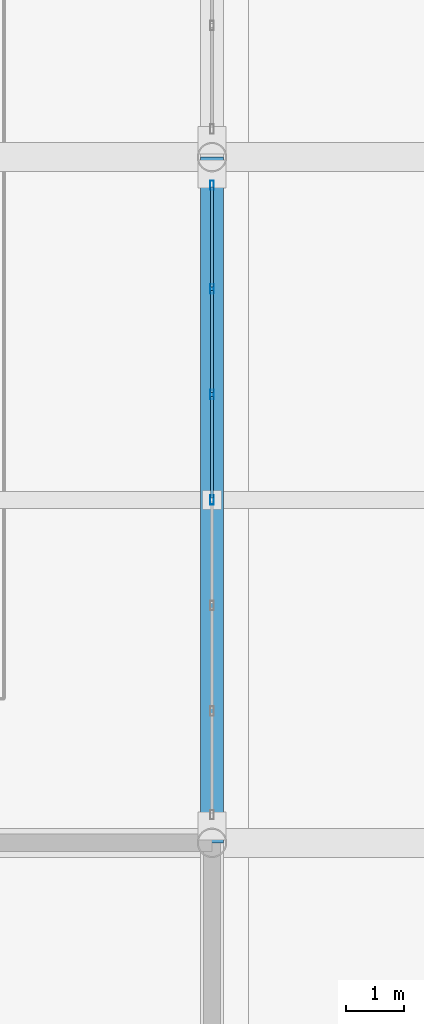
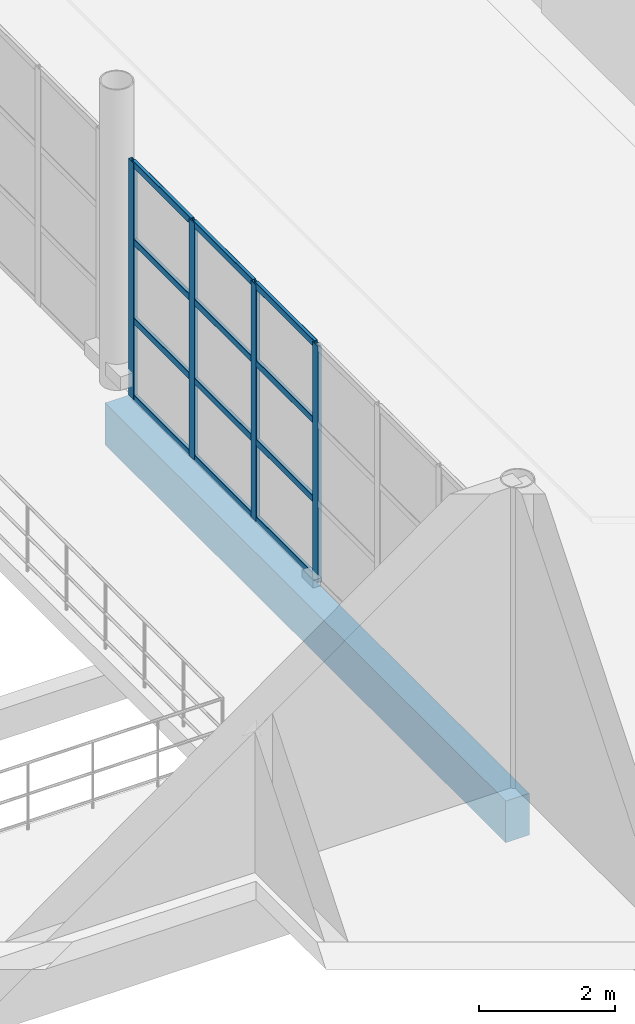
# One storey, part 58 of 175: 16 members, 1 beam, 1 element without a shape of its own.
"""IFC4 building model written with IfcOpenShell, lengths in metres."""

from ifc_helpers import new_model, si_unit, direction, frame, origin, origin_2d, place, context, subcontext, project, spatial, rectangle, hollow_rectangle, extrude, material, material_profile, profile_set, type_object, element, aggregate, save


model = new_model("IFC4")

# Units and contexts
model_context = context("Model", 3, precision=1e-05, world=origin(), true_north=direction((0.0, 1.0)))
body_context = subcontext(model_context, "Body", "Model", "MODEL_VIEW")
ifc_project = project(units=[si_unit("LENGTHUNIT", "METRE"), si_unit("AREAUNIT", "SQUARE_METRE"), si_unit("VOLUMEUNIT", "CUBIC_METRE"), si_unit("PLANEANGLEUNIT", "RADIAN"), si_unit("MASSUNIT", "GRAM", prefix="KILO")], contexts=[model_context])

# Site, building, storey
site_placement = place(None, origin())
site = spatial("IfcSite", under=ifc_project, at=site_placement, CompositionType="ELEMENT")
building_placement = place(site_placement, origin())
building = spatial("IfcBuilding", under=site, at=building_placement, Name="Brelvane Convention Centre", CompositionType="ELEMENT")
storey_placement = place(building_placement, frame((0.0, 0.0, 5.39990234375)))
storey = spatial("IfcBuildingStorey", under=building, at=storey_placement, Name="L01", CompositionType="ELEMENT", Elevation=5.39990234375)

# Curtain wall, members
ifc_material_1 = material(Name="Anodised Aluminium Alloy 6063-T6", Category="aluminium")
curtain_wall_type = type_object("IfcCurtainWallType", Name="Curtain Wall CW-CONC", PredefinedType="USERDEFINED", material=ifc_material_1)
curtain_wall_placement = place(storey_placement, origin())
curtain_wall = element("IfcCurtainWall", 1, at=curtain_wall_placement, inside=storey, type_object=curtain_wall_type, Name="Curtain Wall CW-CONC L01-GAL-ATRIUM-E-2", ObjectType="UNITISED", PredefinedType="USERDEFINED")
ifc_material_2 = material(Name="Anodised Aluminium Alloy 6063-T6", Category="aluminium")
ifc_material_profile_1 = material_profile(ifc_material_2, hollow_rectangle(XDim=0.06494140625, YDim=0.159912109375, WallThickness=0.00390625, InnerFilletRadius=0.00390625, OuterFilletRadius=0.008056640625, at=origin_2d()), Name="ALU-M 160x65x4.0")
ifc_profile_set_1 = profile_set([ifc_material_profile_1], Name="Anodised Aluminium Alloy 6063-T6")
member_type_1 = type_object("IfcMemberType", Name="Curtain Mullion CW-M3", PredefinedType="MULLION", material=ifc_profile_set_1)
member_1_placement = place(storey_placement, frame((163.199951171875, 58.300048828125, 0.0), z_axis=(0.0, 0.0, 1.0), x_axis=(-1.0, 0.0, 0.0)))
member_1 = element("IfcMember", 2, at=member_1_placement, type_object=member_type_1, Name="CW-CONC mullion 4", PredefinedType="MULLION", context=body_context, shape_type="SweptSolid", body=[
    extrude(hollow_rectangle(XDim=0.06494140625, YDim=0.159912109375, WallThickness=0.00390625, InnerFilletRadius=0.00390625, OuterFilletRadius=0.008056640625, at=origin_2d()), origin(), (0.0, 0.0, 1.0), 4.25),
])
member_2_placement = place(storey_placement, frame((163.199951171875, 60.11669921875, 0.0), z_axis=(0.0, 0.0, 1.0), x_axis=(-1.0, 0.0, 0.0)))
member_2 = element("IfcMember", 3, at=member_2_placement, type_object=member_type_1, Name="CW-CONC mullion 5", PredefinedType="MULLION", context=body_context, shape_type="SweptSolid", body=[
    extrude(hollow_rectangle(XDim=0.06494140625, YDim=0.159912109375, WallThickness=0.00390625, InnerFilletRadius=0.00390625, OuterFilletRadius=0.008056640625, at=origin_2d()), origin(), (0.0, 0.0, 1.0), 4.25),
])
member_3_placement = place(storey_placement, frame((163.199951171875, 61.933349609375, 0.0), z_axis=(0.0, 0.0, 1.0), x_axis=(-1.0, 0.0, 0.0)))
member_3 = element("IfcMember", 4, at=member_3_placement, type_object=member_type_1, Name="CW-CONC mullion 6", PredefinedType="MULLION", context=body_context, shape_type="SweptSolid", body=[
    extrude(hollow_rectangle(XDim=0.06494140625, YDim=0.159912109375, WallThickness=0.00390625, InnerFilletRadius=0.00390625, OuterFilletRadius=0.008056640625, at=origin_2d()), origin(), (0.0, 0.0, 1.0), 4.25),
])
member_4_placement = place(storey_placement, frame((163.199951171875, 63.717529296875, 0.0), z_axis=(0.0, 0.0, 1.0), x_axis=(-1.0, 0.0, 0.0)))
member_4 = element("IfcMember", 5, at=member_4_placement, type_object=member_type_1, Name="CW-CONC mullion 7", PredefinedType="MULLION", context=body_context, shape_type="SweptSolid", body=[
    extrude(hollow_rectangle(XDim=0.06494140625, YDim=0.159912109375, WallThickness=0.00390625, InnerFilletRadius=0.00390625, OuterFilletRadius=0.008056640625, at=origin_2d()), origin(), (0.0, 0.0, 1.0), 4.25),
])
ifc_material_3 = material(Name="Anodised Aluminium Alloy 6063-T6", Category="aluminium")
ifc_material_profile_2 = material_profile(ifc_material_3, hollow_rectangle(XDim=0.06005859375, YDim=0.1201171875, WallThickness=0.00390625, InnerFilletRadius=0.00390625, OuterFilletRadius=0.008056640625, at=origin_2d()), Name="ALU-T 120x60x4.0")
ifc_profile_set_2 = profile_set([ifc_material_profile_2], Name="Anodised Aluminium Alloy 6063-T6")
member_type_2 = type_object("IfcMemberType", Name="Curtain Transom CW-T3", PredefinedType="USERDEFINED", material=ifc_profile_set_2)
member_5_placement = place(storey_placement, frame((163.199951171875, 58.33251953125, 0.030029296875), z_axis=(0.0, 1.0, 0.0), x_axis=(-1.0, 0.0, 0.0)))
member_5 = element("IfcMember", 6, at=member_5_placement, type_object=member_type_2, Name="CW-CONC transom 4.1", ObjectType="TRANSOM", PredefinedType="USERDEFINED", context=body_context, shape_type="SweptSolid", body=[
    extrude(hollow_rectangle(XDim=0.06005859375, YDim=0.1201171875, WallThickness=0.00390625, InnerFilletRadius=0.00390625, OuterFilletRadius=0.008056640625, at=origin_2d()), origin(), (0.0, 0.0, 1.0), 1.751708984375),
])
member_6_placement = place(storey_placement, frame((163.199951171875, 58.33251953125, 1.416748046875), z_axis=(0.0, 1.0, 0.0), x_axis=(-1.0, 0.0, 0.0)))
member_6 = element("IfcMember", 7, at=member_6_placement, type_object=member_type_2, Name="CW-CONC transom 4.2", ObjectType="TRANSOM", PredefinedType="USERDEFINED", context=body_context, shape_type="SweptSolid", body=[
    extrude(hollow_rectangle(XDim=0.06005859375, YDim=0.1201171875, WallThickness=0.00390625, InnerFilletRadius=0.00390625, OuterFilletRadius=0.008056640625, at=origin_2d()), origin(), (0.0, 0.0, 1.0), 1.751708984375),
])
member_7_placement = place(storey_placement, frame((163.199951171875, 58.33251953125, 2.83349609375), z_axis=(0.0, 1.0, 0.0), x_axis=(-1.0, 0.0, 0.0)))
member_7 = element("IfcMember", 8, at=member_7_placement, type_object=member_type_2, Name="CW-CONC transom 4.3", ObjectType="TRANSOM", PredefinedType="USERDEFINED", context=body_context, shape_type="SweptSolid", body=[
    extrude(hollow_rectangle(XDim=0.06005859375, YDim=0.1201171875, WallThickness=0.00390625, InnerFilletRadius=0.00390625, OuterFilletRadius=0.008056640625, at=origin_2d()), origin(), (0.0, 0.0, 1.0), 1.751708984375),
])
member_8_placement = place(storey_placement, frame((163.199951171875, 58.33251953125, 4.22021484375), z_axis=(0.0, 1.0, 0.0), x_axis=(-1.0, 0.0, 0.0)))
member_8 = element("IfcMember", 9, at=member_8_placement, type_object=member_type_2, Name="CW-CONC transom 4.4", ObjectType="TRANSOM", PredefinedType="USERDEFINED", context=body_context, shape_type="SweptSolid", body=[
    extrude(hollow_rectangle(XDim=0.06005859375, YDim=0.1201171875, WallThickness=0.00390625, InnerFilletRadius=0.00390625, OuterFilletRadius=0.008056640625, at=origin_2d()), origin(), (0.0, 0.0, 1.0), 1.751708984375),
])
member_9_placement = place(storey_placement, frame((163.199951171875, 60.149169921875, 0.030029296875), z_axis=(0.0, 1.0, 0.0), x_axis=(-1.0, 0.0, 0.0)))
member_9 = element("IfcMember", 10, at=member_9_placement, type_object=member_type_2, Name="CW-CONC transom 5.1", ObjectType="TRANSOM", PredefinedType="USERDEFINED", context=body_context, shape_type="SweptSolid", body=[
    extrude(hollow_rectangle(XDim=0.06005859375, YDim=0.1201171875, WallThickness=0.00390625, InnerFilletRadius=0.00390625, OuterFilletRadius=0.008056640625, at=origin_2d()), origin(), (0.0, 0.0, 1.0), 1.751708984375),
])
member_10_placement = place(storey_placement, frame((163.199951171875, 60.149169921875, 1.416748046875), z_axis=(0.0, 1.0, 0.0), x_axis=(-1.0, 0.0, 0.0)))
member_10 = element("IfcMember", 11, at=member_10_placement, type_object=member_type_2, Name="CW-CONC transom 5.2", ObjectType="TRANSOM", PredefinedType="USERDEFINED", context=body_context, shape_type="SweptSolid", body=[
    extrude(hollow_rectangle(XDim=0.06005859375, YDim=0.1201171875, WallThickness=0.00390625, InnerFilletRadius=0.00390625, OuterFilletRadius=0.008056640625, at=origin_2d()), origin(), (0.0, 0.0, 1.0), 1.751708984375),
])
member_11_placement = place(storey_placement, frame((163.199951171875, 60.149169921875, 2.83349609375), z_axis=(0.0, 1.0, 0.0), x_axis=(-1.0, 0.0, 0.0)))
member_11 = element("IfcMember", 12, at=member_11_placement, type_object=member_type_2, Name="CW-CONC transom 5.3", ObjectType="TRANSOM", PredefinedType="USERDEFINED", context=body_context, shape_type="SweptSolid", body=[
    extrude(hollow_rectangle(XDim=0.06005859375, YDim=0.1201171875, WallThickness=0.00390625, InnerFilletRadius=0.00390625, OuterFilletRadius=0.008056640625, at=origin_2d()), origin(), (0.0, 0.0, 1.0), 1.751708984375),
])
member_12_placement = place(storey_placement, frame((163.199951171875, 60.149169921875, 4.22021484375), z_axis=(0.0, 1.0, 0.0), x_axis=(-1.0, 0.0, 0.0)))
member_12 = element("IfcMember", 13, at=member_12_placement, type_object=member_type_2, Name="CW-CONC transom 5.4", ObjectType="TRANSOM", PredefinedType="USERDEFINED", context=body_context, shape_type="SweptSolid", body=[
    extrude(hollow_rectangle(XDim=0.06005859375, YDim=0.1201171875, WallThickness=0.00390625, InnerFilletRadius=0.00390625, OuterFilletRadius=0.008056640625, at=origin_2d()), origin(), (0.0, 0.0, 1.0), 1.751708984375),
])
member_13_placement = place(storey_placement, frame((163.199951171875, 61.9658203125, 0.030029296875), z_axis=(0.0, 1.0, 0.0), x_axis=(-1.0, 0.0, 0.0)))
member_13 = element("IfcMember", 14, at=member_13_placement, type_object=member_type_2, Name="CW-CONC transom 6.1", ObjectType="TRANSOM", PredefinedType="USERDEFINED", context=body_context, shape_type="SweptSolid", body=[
    extrude(hollow_rectangle(XDim=0.06005859375, YDim=0.1201171875, WallThickness=0.00390625, InnerFilletRadius=0.00390625, OuterFilletRadius=0.008056640625, at=origin_2d()), origin(), (0.0, 0.0, 1.0), 1.71923828125),
])
member_14_placement = place(storey_placement, frame((163.199951171875, 61.9658203125, 1.416748046875), z_axis=(0.0, 1.0, 0.0), x_axis=(-1.0, 0.0, 0.0)))
member_14 = element("IfcMember", 15, at=member_14_placement, type_object=member_type_2, Name="CW-CONC transom 6.2", ObjectType="TRANSOM", PredefinedType="USERDEFINED", context=body_context, shape_type="SweptSolid", body=[
    extrude(hollow_rectangle(XDim=0.06005859375, YDim=0.1201171875, WallThickness=0.00390625, InnerFilletRadius=0.00390625, OuterFilletRadius=0.008056640625, at=origin_2d()), origin(), (0.0, 0.0, 1.0), 1.71923828125),
])
member_15_placement = place(storey_placement, frame((163.199951171875, 61.9658203125, 2.83349609375), z_axis=(0.0, 1.0, 0.0), x_axis=(-1.0, 0.0, 0.0)))
member_15 = element("IfcMember", 16, at=member_15_placement, type_object=member_type_2, Name="CW-CONC transom 6.3", ObjectType="TRANSOM", PredefinedType="USERDEFINED", context=body_context, shape_type="SweptSolid", body=[
    extrude(hollow_rectangle(XDim=0.06005859375, YDim=0.1201171875, WallThickness=0.00390625, InnerFilletRadius=0.00390625, OuterFilletRadius=0.008056640625, at=origin_2d()), origin(), (0.0, 0.0, 1.0), 1.71923828125),
])
member_16_placement = place(storey_placement, frame((163.199951171875, 61.9658203125, 4.22021484375), z_axis=(0.0, 1.0, 0.0), x_axis=(-1.0, 0.0, 0.0)))
member_16 = element("IfcMember", 17, at=member_16_placement, type_object=member_type_2, Name="CW-CONC transom 6.4", ObjectType="TRANSOM", PredefinedType="USERDEFINED", context=body_context, shape_type="SweptSolid", body=[
    extrude(hollow_rectangle(XDim=0.06005859375, YDim=0.1201171875, WallThickness=0.00390625, InnerFilletRadius=0.00390625, OuterFilletRadius=0.008056640625, at=origin_2d()), origin(), (0.0, 0.0, 1.0), 1.71923828125),
])
aggregate(curtain_wall, [member_1, member_2, member_3, member_4, member_5, member_6, member_7, member_8, member_9, member_10, member_11, member_12, member_13, member_14, member_15, member_16])

# Beam
ifc_material_4 = material(Name="Concrete M40", Category="concrete")
ifc_material_profile_3 = material_profile(ifc_material_4, rectangle(XDim=0.39990234375, YDim=0.75, at=origin_2d()), Name="RC 400x750")
ifc_profile_set_3 = profile_set([ifc_material_profile_3], Name="Concrete M40")
beam_type = type_object("IfcBeamType", Name="RC Spandrel SP-RC1 (RC 400x750)", PredefinedType="SPANDREL", material=ifc_profile_set_3)
beam_placement = place(storey_placement, frame((163.199951171875, 52.39990234375, -0.704833984375), z_axis=(0.0, 1.0, 0.0), x_axis=(-1.0, 0.0, 0.0)))
element("IfcBeam", 18, at=beam_placement, inside=storey, type_object=beam_type, Name="L01 Girder 17/F-G", PredefinedType="SPANDREL", context=body_context, shape_type="SweptSolid", body=[
    extrude(rectangle(XDim=0.39990234375, YDim=0.75, at=origin_2d()), origin(), (0.0, 0.0, 1.0), 11.800048828125),
])

save(model, "model.ifc")
